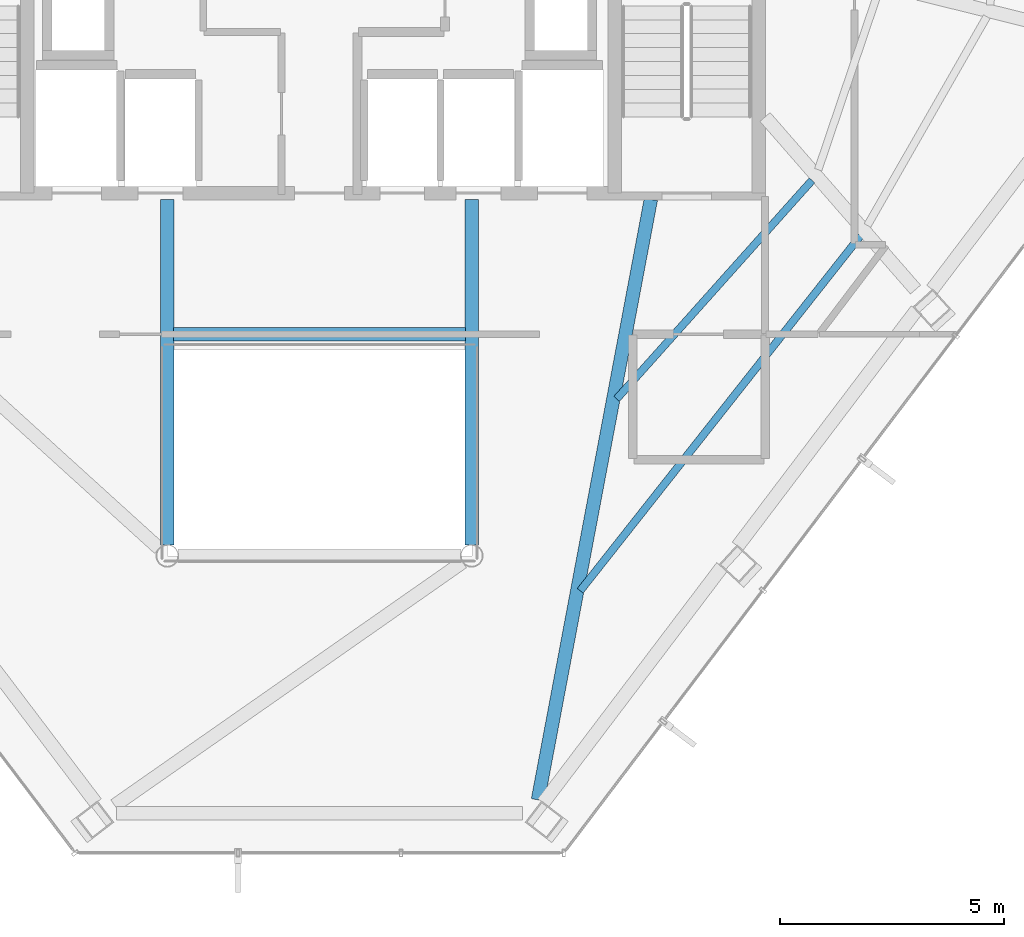
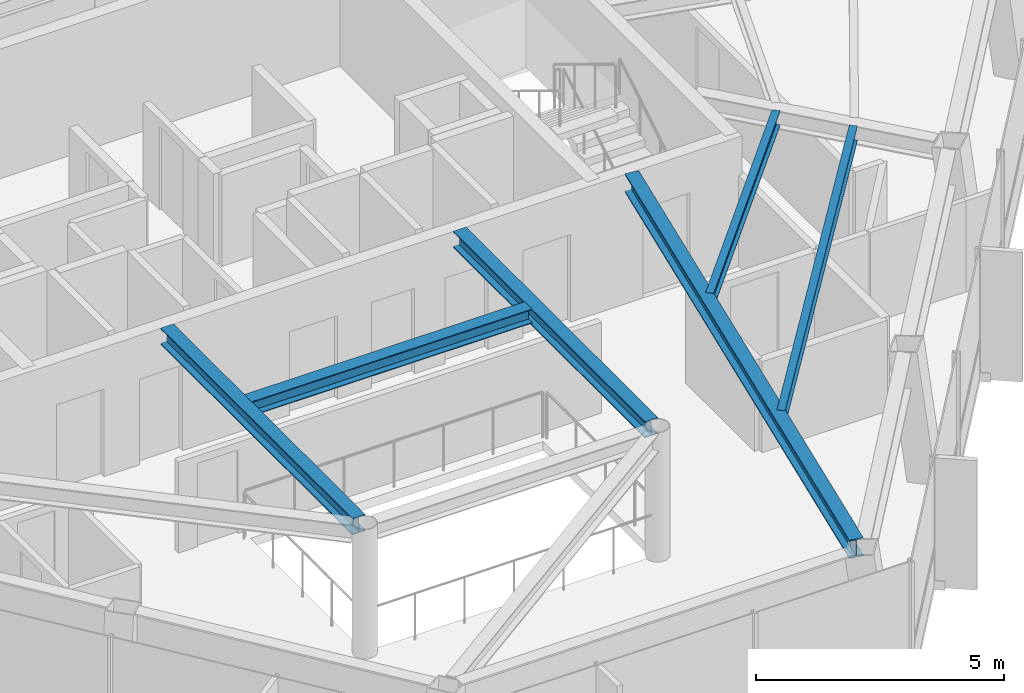
# One storey, part 7 of 25: 6 beams.
"""IFC4 building model written with IfcOpenShell, lengths in metres."""

from ifc_helpers import new_model, si_unit, direction, frame, origin, origin_2d, place, context, subcontext, project, spatial, i_section, extrude, material, material_profile, profile_set, type_object, element, save


model = new_model("IFC4")

# Units and contexts
model_context = context("Model", 3, precision=1e-05, world=origin(), true_north=direction((0.0, 1.0)))
body_context = subcontext(model_context, "Body", "Model", "MODEL_VIEW")
ifc_project = project(units=[si_unit("LENGTHUNIT", "METRE"), si_unit("AREAUNIT", "SQUARE_METRE"), si_unit("VOLUMEUNIT", "CUBIC_METRE"), si_unit("PLANEANGLEUNIT", "RADIAN"), si_unit("MASSUNIT", "GRAM", prefix="KILO")], contexts=[model_context])

# Site, building, storey
site_placement = place(None, origin())
site = spatial("IfcSite", under=ifc_project, at=site_placement, CompositionType="ELEMENT")
building_placement = place(site_placement, origin())
building = spatial("IfcBuilding", under=site, at=building_placement, Name="Zarrinselat Tower", CompositionType="ELEMENT")
storey_placement = place(building_placement, frame((0.0, 0.0, 246.159912109375)))
storey = spatial("IfcBuildingStorey", under=building, at=storey_placement, Name="L62", CompositionType="ELEMENT", Elevation=246.159912109375)

# Beams
ifc_material_1 = material(Name="Steel S355J2", Category="steel")
ifc_material_profile_1 = material_profile(ifc_material_1, i_section(OverallWidth=0.300048828125, OverallDepth=0.35009765625, WebThickness=0.010009765625, FlangeThickness=0.017578125, at=origin_2d()), Name="HEA 360")
ifc_profile_set_1 = profile_set([ifc_material_profile_1], Name="Steel S355J2")
beam_type_1 = type_object("IfcBeamType", Name="BM-HEA360", PredefinedType="LINTEL", material=ifc_profile_set_1)
beam_1_placement = place(storey_placement, frame((35.139892578125, 30.14990234375, 3.005126953125), z_axis=(1.0, 0.0, 0.0), x_axis=(0.0, 1.0, 0.0)))
element("IfcBeam", 1, at=beam_1_placement, inside=storey, type_object=beam_type_1, Name="L62 Lift Lobby Ceiling Beam", PredefinedType="LINTEL", context=body_context, shape_type="SweptSolid", body=[
    extrude(i_section(OverallWidth=0.300048828125, OverallDepth=0.35009765625, WebThickness=0.010009765625, FlangeThickness=0.017578125, at=origin_2d()), origin(), (0.0, 0.0, 1.0), 6.52001953125),
])
ifc_material_2 = material(Name="Steel S355J2", Category="steel")
ifc_material_profile_2 = material_profile(ifc_material_2, i_section(OverallWidth=0.300048828125, OverallDepth=0.39990234375, WebThickness=0.013427734375, FlangeThickness=0.02392578125, at=origin_2d()), Name="HEB 400")
ifc_profile_set_2 = profile_set([ifc_material_profile_2], Name="Steel S355J2")
beam_type_2 = type_object("IfcBeamType", Name="BM-HEB400", PredefinedType="BEAM", material=ifc_profile_set_2)
for number, where, z_axis, x_axis, name in (
    (2, (35.0, 25.43994140625, 2.97998046875), (0.0, 1.0, 0.0), (-1.0, 0.0, 0.0), "L62 Atrium Edge Beam W"),
    (3, (41.800048828125, 25.43994140625, 2.97998046875), (0.0, 1.0, 0.0), (-1.0, 0.0, 0.0), "L62 Atrium Edge Beam E"),
):
    element("IfcBeam", number, at=place(storey_placement, frame(where, z_axis=z_axis, x_axis=x_axis)), inside=storey, type_object=beam_type_2, Name=name, PredefinedType="BEAM", context=body_context, shape_type="SweptSolid", body=[
        extrude(i_section(OverallWidth=0.300048828125, OverallDepth=0.39990234375, WebThickness=0.013427734375, FlangeThickness=0.02392578125, at=origin_2d()), origin(), (0.0, 0.0, 1.0), 7.719970703125),
    ])
ifc_material_3 = material(Name="Steel S355J2", Category="steel")
ifc_material_profile_3 = material_profile(ifc_material_3, i_section(OverallWidth=0.300048828125, OverallDepth=0.449951171875, WebThickness=0.013916015625, FlangeThickness=0.02587890625, at=origin_2d()), Name="HEB 450")
ifc_profile_set_3 = profile_set([ifc_material_profile_3], Name="Steel S355J2")
beam_type_3 = type_object("IfcBeamType", Name="BM-HEB450", PredefinedType="BEAM", material=ifc_profile_set_3)
beam_2_placement = place(storey_placement, frame((43.27783203125, 19.749267578125, 2.955078125), z_axis=(0.18483510289, 0.982769548134, 0.0), x_axis=(-0.982769548134, 0.18483510289, 0.0)))
element("IfcBeam", 4, at=beam_2_placement, inside=storey, type_object=beam_type_3, Name="L62 Radial Primary Girder RG11", PredefinedType="BEAM", context=body_context, shape_type="SweptSolid", body=[
    extrude(i_section(OverallWidth=0.300048828125, OverallDepth=0.449951171875, WebThickness=0.013916015625, FlangeThickness=0.02587890625, at=origin_2d()), origin(), (0.0, 0.0, 1.0), 13.645751953125),
])
ifc_material_4 = material(Name="Steel S355J2", Category="steel")
ifc_material_profile_4 = material_profile(ifc_material_4, i_section(OverallWidth=0.169921875, OverallDepth=0.360107421875, WebThickness=0.008056640625, FlangeThickness=0.0126953125, at=origin_2d()), Name="IPE 360")
ifc_profile_set_4 = profile_set([ifc_material_profile_4], Name="Steel S355J2")
beam_type_4 = type_object("IfcBeamType", Name="BM-IPE360", PredefinedType="JOIST", material=ifc_profile_set_4)
beam_3_placement = place(storey_placement, frame((44.22216796875, 24.418701171875, 3.0), z_axis=(0.619623912919, 0.784898851152, 0.0), x_axis=(-0.784898851152, 0.619623912919, 0.0)))
element("IfcBeam", 5, at=beam_3_placement, inside=storey, type_object=beam_type_4, Name="L62 Composite Floor Joist 3-1", PredefinedType="JOIST", context=body_context, shape_type="SweptSolid", body=[
    extrude(i_section(OverallWidth=0.169921875, OverallDepth=0.360107421875, WebThickness=0.008056640625, FlangeThickness=0.0126953125, at=origin_2d()), origin(), (0.0, 0.0, 1.0), 10.100830078125),
])
beam_4_placement = place(storey_placement, frame((45.035888671875, 28.70458984375, 3.0), z_axis=(0.666472140191, 0.745529936588, 0.0), x_axis=(-0.745529936588, 0.666472140191, 0.0)))
element("IfcBeam", 6, at=beam_4_placement, inside=storey, type_object=beam_type_4, Name="L62 Composite Floor Joist 3-2", PredefinedType="JOIST", context=body_context, shape_type="SweptSolid", body=[
    extrude(i_section(OverallWidth=0.169921875, OverallDepth=0.360107421875, WebThickness=0.008056640625, FlangeThickness=0.0126953125, at=origin_2d()), origin(), (0.0, 0.0, 1.0), 6.546875),
])

save(model, "model.ifc")
